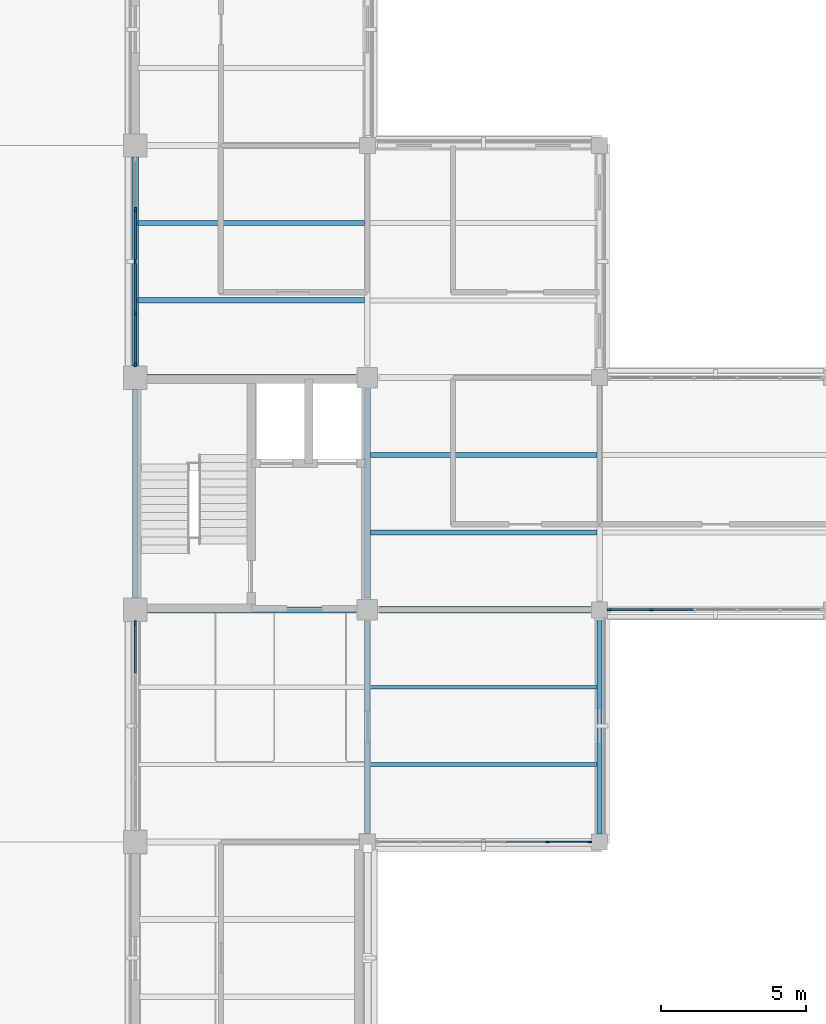
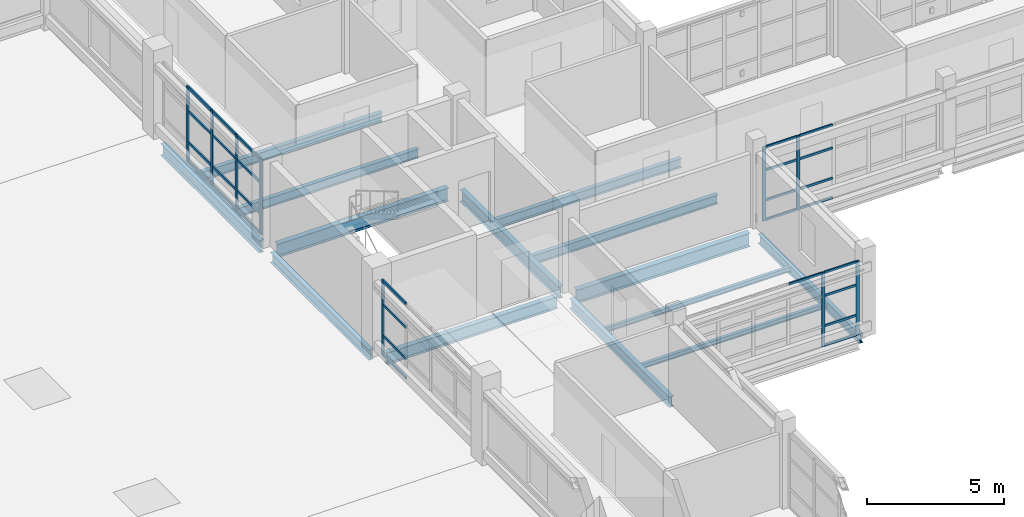
# One storey, part 25 of 107: 38 members, 14 beams, 4 elements without a shape of their own.
"""IFC4 building model written with IfcOpenShell, lengths in metres."""

from ifc_helpers import new_model, si_unit, derived_unit, direction, frame, origin, origin_2d, place, context, subcontext, project, spatial, rectangle, i_section, extrude, material, layer, layer_set, material_profile, profile_set, type_object, element, aggregate, save


model = new_model("IFC4")

# Units and contexts
model_context = context("Model", 3, precision=1e-05, world=origin(), true_north=direction((0.0, 1.0)))
body_context = subcontext(model_context, "Body", "Model", "MODEL_VIEW")
ifc_project = project(units=[si_unit("LENGTHUNIT", "METRE"), si_unit("AREAUNIT", "SQUARE_METRE"), si_unit("VOLUMEUNIT", "CUBIC_METRE"), si_unit("PLANEANGLEUNIT", "RADIAN"), si_unit("MASSUNIT", "GRAM", prefix="KILO"), derived_unit("THERMALTRANSMITTANCEUNIT", [(si_unit("MASSUNIT", "GRAM", prefix="KILO"), 1), (si_unit("TIMEUNIT", "SECOND"), -3), (si_unit("THERMODYNAMICTEMPERATUREUNIT", "KELVIN"), -1)])], contexts=[model_context])

# Site, building, storey
site_placement = place(None, origin())
site = spatial("IfcSite", under=ifc_project, at=site_placement, CompositionType="ELEMENT")
building_placement = place(site_placement, origin())
building = spatial("IfcBuilding", under=site, at=building_placement, Name="Veyamyaing Civic Hall", CompositionType="ELEMENT")
storey_placement = place(building_placement, frame((0.0, 0.0, 13.860107421875)))
storey = spatial("IfcBuildingStorey", under=building, at=storey_placement, Name="L03", CompositionType="ELEMENT", Elevation=13.860107421875)

# Beams
ifc_material_1 = material(Name="Steel ASTM A992", Category="steel")
ifc_material_profile_1 = material_profile(ifc_material_1, i_section(OverallWidth=0.22802734375, OverallDepth=0.60791015625, WebThickness=0.01123046875, FlangeThickness=0.017333984375, FilletRadius=0.012939453125, at=origin_2d()), Name="W610X113")
ifc_profile_set_1 = profile_set([ifc_material_profile_1], Name="Steel ASTM A992")
beam_type_1 = type_object("IfcBeamType", Name="B-06", PredefinedType="BEAM", material=ifc_profile_set_1)
beam_1_placement = place(storey_placement, frame((112.39990234375, 48.0, -0.55908203125), z_axis=(1.0, 0.0, 0.0), x_axis=(0.0, 1.0, 0.0)))
element("IfcBeam", 1, at=beam_1_placement, inside=storey, type_object=beam_type_1, Name="Girder B-06 L03 Grid G 15-16", PredefinedType="BEAM", context=body_context, shape_type="SweptSolid", body=[
    extrude(i_section(OverallWidth=0.22802734375, OverallDepth=0.60791015625, WebThickness=0.01123046875, FlangeThickness=0.017333984375, FilletRadius=0.012939453125, at=origin_2d()), origin(), (0.0, 0.0, 1.0), 7.300048828125),
])
beam_2_placement = place(storey_placement, frame((104.39990234375, 56.0, -0.55908203125), z_axis=(1.0, 0.0, 0.0), x_axis=(0.0, 1.0, 0.0)))
element("IfcBeam", 2, at=beam_2_placement, inside=storey, type_object=beam_type_1, Name="Girder B-06 L03 Grid H 14-15", PredefinedType="BEAM", context=body_context, shape_type="SweptSolid", body=[
    extrude(i_section(OverallWidth=0.22802734375, OverallDepth=0.60791015625, WebThickness=0.01123046875, FlangeThickness=0.017333984375, FilletRadius=0.012939453125, at=origin_2d()), origin(), (0.0, 0.0, 1.0), 7.2001953125),
])
ifc_material_profile_2 = material_profile(ifc_material_1, i_section(OverallWidth=0.208984375, OverallDepth=0.532958984375, WebThickness=0.01025390625, FlangeThickness=0.015625, FilletRadius=0.011962890625, at=origin_2d()), Name="W530X92")
ifc_profile_set_2 = profile_set([ifc_material_profile_2], Name="Steel ASTM A992")
beam_type_2 = type_object("IfcBeamType", Name="B-07", PredefinedType="BEAM", material=ifc_profile_set_2)
for number, where, z_axis, x_axis, name in (
    (3, (104.0, 56.39990234375, -0.521728515625), (0.0, 1.0, 0.0), (-1.0, 0.0, 0.0), "Girder B-07 L03 Grid 14 H-J"),
    (4, (112.0, 48.39990234375, -0.521728515625), (0.0, 1.0, 0.0), (-1.0, 0.0, 0.0), "Girder B-07 L03 Grid 15 G-H"),
):
    element("IfcBeam", number, at=place(storey_placement, frame(where, z_axis=z_axis, x_axis=x_axis)), inside=storey, type_object=beam_type_2, Name=name, PredefinedType="BEAM", context=body_context, shape_type="SweptSolid", body=[
        extrude(i_section(OverallWidth=0.208984375, OverallDepth=0.532958984375, WebThickness=0.01025390625, FlangeThickness=0.015625, FilletRadius=0.011962890625, at=origin_2d()), origin(), (0.0, 0.0, 1.0), 7.2001953125),
    ])
ifc_material_profile_3 = material_profile(ifc_material_1, i_section(OverallWidth=0.179931640625, OverallDepth=0.4130859375, WebThickness=0.009765625, FlangeThickness=0.01611328125, FilletRadius=0.010009765625, at=origin_2d()), Name="W410X74")
ifc_profile_set_3 = profile_set([ifc_material_profile_3], Name="Steel ASTM A992")
beam_type_3 = type_object("IfcBeamType", Name="B-10", PredefinedType="SPANDREL", material=ifc_profile_set_3)
beam_3_placement = place(storey_placement, frame((120.0, 40.300048828125, -0.461669921875), z_axis=(0.0, 1.0, 0.0), x_axis=(-1.0, 0.0, 0.0)))
element("IfcBeam", 5, at=beam_3_placement, inside=storey, type_object=beam_type_3, Name="Girder B-10 L03 Grid 16 F-G", PredefinedType="SPANDREL", context=body_context, shape_type="SweptSolid", body=[
    extrude(i_section(OverallWidth=0.179931640625, OverallDepth=0.4130859375, WebThickness=0.009765625, FlangeThickness=0.01611328125, FilletRadius=0.010009765625, at=origin_2d()), origin(), (0.0, 0.0, 1.0), 7.39990234375),
])
ifc_material_profile_4 = material_profile(ifc_material_1, i_section(OverallWidth=0.2109375, OverallDepth=0.5390625, WebThickness=0.01171875, FlangeThickness=0.018798828125, FilletRadius=0.011962890625, at=origin_2d()), Name="W530X109")
ifc_profile_set_4 = profile_set([ifc_material_profile_4], Name="Steel ASTM A992")
beam_type_4 = type_object("IfcBeamType", Name="B-17", PredefinedType="BEAM", material=ifc_profile_set_4)
beam_4_placement = place(storey_placement, frame((104.39990234375, 48.0, -0.524658203125), z_axis=(1.0, 0.0, 0.0), x_axis=(0.0, 1.0, 0.0)))
element("IfcBeam", 6, at=beam_4_placement, inside=storey, type_object=beam_type_4, Name="Girder B-17 L03 Grid G 14-15", PredefinedType="BEAM", context=body_context, shape_type="SweptSolid", body=[
    extrude(i_section(OverallWidth=0.2109375, OverallDepth=0.5390625, WebThickness=0.01171875, FlangeThickness=0.018798828125, FilletRadius=0.011962890625, at=origin_2d()), origin(), (0.0, 0.0, 1.0), 7.2001953125),
])
ifc_material_profile_5 = material_profile(ifc_material_1, i_section(OverallWidth=0.194091796875, OverallDepth=0.468994140625, WebThickness=0.0126953125, FlangeThickness=0.0205078125, FilletRadius=0.010009765625, at=origin_2d()), Name="W460X106")
ifc_profile_set_5 = profile_set([ifc_material_profile_5], Name="Steel ASTM A992")
beam_type_5 = type_object("IfcBeamType", Name="B-18", PredefinedType="BEAM", material=ifc_profile_set_5)
beam_5_placement = place(storey_placement, frame((104.0, 48.39990234375, -0.489501953125), z_axis=(0.0, 1.0, 0.0), x_axis=(-1.0, 0.0, 0.0)))
element("IfcBeam", 7, at=beam_5_placement, inside=storey, type_object=beam_type_5, Name="Girder B-18 L03 Grid 14 G-H", PredefinedType="BEAM", context=body_context, shape_type="SweptSolid", body=[
    extrude(i_section(OverallWidth=0.194091796875, OverallDepth=0.468994140625, WebThickness=0.0126953125, FlangeThickness=0.0205078125, FilletRadius=0.010009765625, at=origin_2d()), origin(), (0.0, 0.0, 1.0), 7.2001953125),
])
beam_6_placement = place(storey_placement, frame((112.0, 40.300048828125, -0.489501953125), z_axis=(0.0, 1.0, 0.0), x_axis=(-1.0, 0.0, 0.0)))
element("IfcBeam", 8, at=beam_6_placement, inside=storey, type_object=beam_type_5, Name="Girder B-18 L03 Grid 15 F-G", PredefinedType="BEAM", context=body_context, shape_type="SweptSolid", body=[
    extrude(i_section(OverallWidth=0.194091796875, OverallDepth=0.468994140625, WebThickness=0.0126953125, FlangeThickness=0.0205078125, FilletRadius=0.010009765625, at=origin_2d()), origin(), (0.0, 0.0, 1.0), 7.300048828125),
])

# Curtain wall, member
ifc_material_2 = material(Name="Anodised aluminium 6063-T6", Category="aluminium")
ifc_layer_1 = layer(ifc_material_2, 0.159912109375, Name="Anodised aluminium 6063-T6")
ifc_layer_set_1 = layer_set([ifc_layer_1], Name="Anodised aluminium 6063-T6")
curtain_wall_type_1 = type_object("IfcCurtainWallType", Name="CW-07", PredefinedType="NOTDEFINED", material=ifc_layer_set_1)
curtain_wall_1_placement = place(storey_placement, origin())
curtain_wall_1 = element("IfcCurtainWall", 9, at=curtain_wall_1_placement, inside=storey, type_object=curtain_wall_type_1, Name="Unitized curtain wall CW-07 L03 W 14.6", PredefinedType="NOTDEFINED")
ifc_material_profile_6 = material_profile(ifc_material_2, rectangle(XDim=0.06494140625, YDim=0.159912109375, at=origin_2d()), Name="ALU-MUL-65X160")
ifc_profile_set_6 = profile_set([ifc_material_profile_6], Name="Anodised aluminium 6063-T6")
member_type_1 = type_object("IfcMemberType", Name="CWM-01", PredefinedType="MULLION", material=ifc_profile_set_6)
member_1_placement = place(storey_placement, frame((104.0, 47.53759765625, 0.0), z_axis=(0.0, 0.0, 1.0), x_axis=(-1.0, 0.0, 0.0)))
member_1 = element("IfcMember", 10, at=member_1_placement, type_object=member_type_1, Name="CW-07 mullion 5", PredefinedType="MULLION", context=body_context, shape_type="SweptSolid", body=[
    extrude(rectangle(XDim=0.06494140625, YDim=0.159912109375, at=origin_2d()), origin(), (0.0, 0.0, 1.0), 3.364013671875),
])

# Curtain wall, members
curtain_wall_2_placement = place(storey_placement, origin())
curtain_wall_2 = element("IfcCurtainWall", 11, at=curtain_wall_2_placement, inside=storey, type_object=curtain_wall_type_1, Name="Unitized curtain wall CW-07 L03 W 14.8", PredefinedType="NOTDEFINED")
member_2_placement = place(storey_placement, frame((104.0, 56.46240234375, 0.0), z_axis=(0.0, 0.0, 1.0), x_axis=(-1.0, 0.0, 0.0)))
member_2 = element("IfcMember", 12, at=member_2_placement, type_object=member_type_1, Name="CW-07 mullion 1", PredefinedType="MULLION", context=body_context, shape_type="SweptSolid", body=[
    extrude(rectangle(XDim=0.06494140625, YDim=0.159912109375, at=origin_2d()), origin(), (0.0, 0.0, 1.0), 3.366943359375),
])
member_3_placement = place(storey_placement, frame((104.0, 58.215087890625, 0.0), z_axis=(0.0, 0.0, 1.0), x_axis=(-1.0, 0.0, 0.0)))
member_3 = element("IfcMember", 13, at=member_3_placement, type_object=member_type_1, Name="CW-07 mullion 2", PredefinedType="MULLION", context=body_context, shape_type="SweptSolid", body=[
    extrude(rectangle(XDim=0.06494140625, YDim=0.159912109375, at=origin_2d()), origin(), (0.0, 0.0, 1.0), 3.366943359375),
])
member_4_placement = place(storey_placement, frame((104.0, 60.0, 0.0), z_axis=(0.0, 0.0, 1.0), x_axis=(-1.0, 0.0, 0.0)))
member_4 = element("IfcMember", 14, at=member_4_placement, type_object=member_type_1, Name="CW-07 mullion 3", PredefinedType="MULLION", context=body_context, shape_type="SweptSolid", body=[
    extrude(rectangle(XDim=0.06494140625, YDim=0.159912109375, at=origin_2d()), origin(), (0.0, 0.0, 1.0), 3.366943359375),
])
member_5_placement = place(storey_placement, frame((104.0, 61.784912109375, 0.0), z_axis=(0.0, 0.0, 1.0), x_axis=(-1.0, 0.0, 0.0)))
member_5 = element("IfcMember", 15, at=member_5_placement, type_object=member_type_1, Name="CW-07 mullion 4", PredefinedType="MULLION", context=body_context, shape_type="SweptSolid", body=[
    extrude(rectangle(XDim=0.06494140625, YDim=0.159912109375, at=origin_2d()), origin(), (0.0, 0.0, 1.0), 3.366943359375),
])

ifc_layer_2 = layer(ifc_material_2, 0.139892578125, Name="Anodised aluminium 6063-T6")
ifc_layer_set_2 = layer_set([ifc_layer_2], Name="Anodised aluminium 6063-T6")
curtain_wall_type_2 = type_object("IfcCurtainWallType", Name="CW-04", PredefinedType="NOTDEFINED", material=ifc_layer_set_2)
curtain_wall_3_placement = place(storey_placement, origin())
curtain_wall_3 = element("IfcCurtainWall", 16, at=curtain_wall_3_placement, inside=storey, type_object=curtain_wall_type_2, Name="Unitized curtain wall CW-04 L03 S 15.6", PredefinedType="NOTDEFINED")
ifc_material_profile_7 = material_profile(ifc_material_2, rectangle(XDim=0.06005859375, YDim=0.139892578125, at=origin_2d()), Name="ALU-MUL-60X140")
ifc_profile_set_7 = profile_set([ifc_material_profile_7], Name="Anodised aluminium 6063-T6")
member_type_2 = type_object("IfcMemberType", Name="CWM-03", PredefinedType="MULLION", material=ifc_profile_set_7)
member_6_placement = place(storey_placement, frame((118.217041015625, 40.0, 0.0), z_axis=(0.0, 0.0, 1.0), x_axis=(0.0, 1.0, 0.0)))
member_6 = element("IfcMember", 17, at=member_6_placement, type_object=member_type_2, Name="CW-04 mullion 5", PredefinedType="MULLION", context=body_context, shape_type="SweptSolid", body=[
    extrude(rectangle(XDim=0.06005859375, YDim=0.139892578125, at=origin_2d()), origin(), (0.0, 0.0, 1.0), 3.303955078125),
])
member_7_placement = place(storey_placement, frame((119.6650390625, 40.0, 0.0), z_axis=(0.0, 0.0, 1.0), x_axis=(0.0, 1.0, 0.0)))
member_7 = element("IfcMember", 18, at=member_7_placement, type_object=member_type_2, Name="CW-04 mullion 6", PredefinedType="MULLION", context=body_context, shape_type="SweptSolid", body=[
    extrude(rectangle(XDim=0.06005859375, YDim=0.139892578125, at=origin_2d()), origin(), (0.0, 0.0, 1.0), 3.303955078125),
])

curtain_wall_4_placement = place(storey_placement, origin())
curtain_wall_4 = element("IfcCurtainWall", 19, at=curtain_wall_4_placement, inside=storey, type_object=curtain_wall_type_2, Name="Unitized curtain wall CW-04 L03 S 16.7", PredefinedType="NOTDEFINED")
member_8_placement = place(storey_placement, frame((120.3349609375, 48.0, 0.0), z_axis=(0.0, 0.0, 1.0), x_axis=(0.0, 1.0, 0.0)))
member_8 = element("IfcMember", 20, at=member_8_placement, type_object=member_type_2, Name="CW-04 mullion 1", PredefinedType="MULLION", context=body_context, shape_type="SweptSolid", body=[
    extrude(rectangle(XDim=0.06005859375, YDim=0.139892578125, at=origin_2d()), origin(), (0.0, 0.0, 1.0), 3.2998046875),
])
member_9_placement = place(storey_placement, frame((121.782958984375, 48.0, 0.0), z_axis=(0.0, 0.0, 1.0), x_axis=(0.0, 1.0, 0.0)))
member_9 = element("IfcMember", 21, at=member_9_placement, type_object=member_type_2, Name="CW-04 mullion 2", PredefinedType="MULLION", context=body_context, shape_type="SweptSolid", body=[
    extrude(rectangle(XDim=0.06005859375, YDim=0.139892578125, at=origin_2d()), origin(), (0.0, 0.0, 1.0), 3.2998046875),
])

# Member
ifc_material_profile_8 = material_profile(ifc_material_2, rectangle(XDim=0.06494140625, YDim=0.1201171875, at=origin_2d()), Name="ALU-TRN-65X120")
ifc_profile_set_8 = profile_set([ifc_material_profile_8], Name="Anodised aluminium 6063-T6")
member_type_3 = type_object("IfcMemberType", Name="CWT-01", PredefinedType="USERDEFINED", material=ifc_profile_set_8)
member_10_placement = place(storey_placement, frame((104.0, 45.8173828125, 0.032470703125), z_axis=(0.0, 1.0, 0.0), x_axis=(-1.0, 0.0, 0.0)))
member_10 = element("IfcMember", 22, at=member_10_placement, type_object=member_type_3, Name="CW-07 transom 4.1", ObjectType="TRANSOM", PredefinedType="USERDEFINED", context=body_context, shape_type="SweptSolid", body=[
    extrude(rectangle(XDim=0.06494140625, YDim=0.1201171875, at=origin_2d()), origin(), (0.0, 0.0, 1.0), 1.6875),
])

member_11_placement = place(storey_placement, frame((104.0, 45.8173828125, 0.89990234375), z_axis=(0.0, 1.0, 0.0), x_axis=(-1.0, 0.0, 0.0)))
member_11 = element("IfcMember", 23, at=member_11_placement, type_object=member_type_3, Name="CW-07 transom 4.2", ObjectType="TRANSOM", PredefinedType="USERDEFINED", context=body_context, shape_type="SweptSolid", body=[
    extrude(rectangle(XDim=0.06494140625, YDim=0.1201171875, at=origin_2d()), origin(), (0.0, 0.0, 1.0), 1.6875),
])

member_12_placement = place(storey_placement, frame((104.0, 45.8173828125, 2.287353515625), z_axis=(0.0, 1.0, 0.0), x_axis=(-1.0, 0.0, 0.0)))
member_12 = element("IfcMember", 24, at=member_12_placement, type_object=member_type_3, Name="CW-07 transom 4.3", ObjectType="TRANSOM", PredefinedType="USERDEFINED", context=body_context, shape_type="SweptSolid", body=[
    extrude(rectangle(XDim=0.06494140625, YDim=0.1201171875, at=origin_2d()), origin(), (0.0, 0.0, 1.0), 1.6875),
])

member_13_placement = place(storey_placement, frame((104.0, 45.8173828125, 3.331298828125), z_axis=(0.0, 1.0, 0.0), x_axis=(-1.0, 0.0, 0.0)))
member_13 = element("IfcMember", 25, at=member_13_placement, type_object=member_type_3, Name="CW-07 transom 4.4", ObjectType="TRANSOM", PredefinedType="USERDEFINED", context=body_context, shape_type="SweptSolid", body=[
    extrude(rectangle(XDim=0.06494140625, YDim=0.1201171875, at=origin_2d()), origin(), (0.0, 0.0, 1.0), 1.6875),
])

aggregate(curtain_wall_1, [member_1, member_10, member_11, member_12, member_13])

member_14_placement = place(storey_placement, frame((104.0, 56.4951171875, 0.032470703125), z_axis=(0.0, 1.0, 0.0), x_axis=(-1.0, 0.0, 0.0)))
member_14 = element("IfcMember", 26, at=member_14_placement, type_object=member_type_3, Name="CW-07 transom 1.1", ObjectType="TRANSOM", PredefinedType="USERDEFINED", context=body_context, shape_type="SweptSolid", body=[
    extrude(rectangle(XDim=0.06494140625, YDim=0.1201171875, at=origin_2d()), origin(), (0.0, 0.0, 1.0), 1.6875),
])

member_15_placement = place(storey_placement, frame((104.0, 56.4951171875, 0.89990234375), z_axis=(0.0, 1.0, 0.0), x_axis=(-1.0, 0.0, 0.0)))
member_15 = element("IfcMember", 27, at=member_15_placement, type_object=member_type_3, Name="CW-07 transom 1.2", ObjectType="TRANSOM", PredefinedType="USERDEFINED", context=body_context, shape_type="SweptSolid", body=[
    extrude(rectangle(XDim=0.06494140625, YDim=0.1201171875, at=origin_2d()), origin(), (0.0, 0.0, 1.0), 1.6875),
])

member_16_placement = place(storey_placement, frame((104.0, 56.4951171875, 2.28955078125), z_axis=(0.0, 1.0, 0.0), x_axis=(-1.0, 0.0, 0.0)))
member_16 = element("IfcMember", 28, at=member_16_placement, type_object=member_type_3, Name="CW-07 transom 1.3", ObjectType="TRANSOM", PredefinedType="USERDEFINED", context=body_context, shape_type="SweptSolid", body=[
    extrude(rectangle(XDim=0.06494140625, YDim=0.1201171875, at=origin_2d()), origin(), (0.0, 0.0, 1.0), 1.6875),
])

member_17_placement = place(storey_placement, frame((104.0, 56.4951171875, 3.33447265625), z_axis=(0.0, 1.0, 0.0), x_axis=(-1.0, 0.0, 0.0)))
member_17 = element("IfcMember", 29, at=member_17_placement, type_object=member_type_3, Name="CW-07 transom 1.4", ObjectType="TRANSOM", PredefinedType="USERDEFINED", context=body_context, shape_type="SweptSolid", body=[
    extrude(rectangle(XDim=0.06494140625, YDim=0.1201171875, at=origin_2d()), origin(), (0.0, 0.0, 1.0), 1.6875),
])

member_18_placement = place(storey_placement, frame((104.0, 58.24755859375, 0.032470703125), z_axis=(0.0, 1.0, 0.0), x_axis=(-1.0, 0.0, 0.0)))
member_18 = element("IfcMember", 30, at=member_18_placement, type_object=member_type_3, Name="CW-07 transom 2.1", ObjectType="TRANSOM", PredefinedType="USERDEFINED", context=body_context, shape_type="SweptSolid", body=[
    extrude(rectangle(XDim=0.06494140625, YDim=0.1201171875, at=origin_2d()), origin(), (0.0, 0.0, 1.0), 1.719970703125),
])

member_19_placement = place(storey_placement, frame((104.0, 58.24755859375, 0.89990234375), z_axis=(0.0, 1.0, 0.0), x_axis=(-1.0, 0.0, 0.0)))
member_19 = element("IfcMember", 31, at=member_19_placement, type_object=member_type_3, Name="CW-07 transom 2.2", ObjectType="TRANSOM", PredefinedType="USERDEFINED", context=body_context, shape_type="SweptSolid", body=[
    extrude(rectangle(XDim=0.06494140625, YDim=0.1201171875, at=origin_2d()), origin(), (0.0, 0.0, 1.0), 1.719970703125),
])

member_20_placement = place(storey_placement, frame((104.0, 58.24755859375, 2.28955078125), z_axis=(0.0, 1.0, 0.0), x_axis=(-1.0, 0.0, 0.0)))
member_20 = element("IfcMember", 32, at=member_20_placement, type_object=member_type_3, Name="CW-07 transom 2.3", ObjectType="TRANSOM", PredefinedType="USERDEFINED", context=body_context, shape_type="SweptSolid", body=[
    extrude(rectangle(XDim=0.06494140625, YDim=0.1201171875, at=origin_2d()), origin(), (0.0, 0.0, 1.0), 1.719970703125),
])

member_21_placement = place(storey_placement, frame((104.0, 58.24755859375, 3.33447265625), z_axis=(0.0, 1.0, 0.0), x_axis=(-1.0, 0.0, 0.0)))
member_21 = element("IfcMember", 33, at=member_21_placement, type_object=member_type_3, Name="CW-07 transom 2.4", ObjectType="TRANSOM", PredefinedType="USERDEFINED", context=body_context, shape_type="SweptSolid", body=[
    extrude(rectangle(XDim=0.06494140625, YDim=0.1201171875, at=origin_2d()), origin(), (0.0, 0.0, 1.0), 1.719970703125),
])

member_22_placement = place(storey_placement, frame((104.0, 60.032470703125, 0.032470703125), z_axis=(0.0, 1.0, 0.0), x_axis=(-1.0, 0.0, 0.0)))
member_22 = element("IfcMember", 34, at=member_22_placement, type_object=member_type_3, Name="CW-07 transom 3.1", ObjectType="TRANSOM", PredefinedType="USERDEFINED", context=body_context, shape_type="SweptSolid", body=[
    extrude(rectangle(XDim=0.06494140625, YDim=0.1201171875, at=origin_2d()), origin(), (0.0, 0.0, 1.0), 1.719970703125),
])

member_23_placement = place(storey_placement, frame((104.0, 60.032470703125, 0.89990234375), z_axis=(0.0, 1.0, 0.0), x_axis=(-1.0, 0.0, 0.0)))
member_23 = element("IfcMember", 35, at=member_23_placement, type_object=member_type_3, Name="CW-07 transom 3.2", ObjectType="TRANSOM", PredefinedType="USERDEFINED", context=body_context, shape_type="SweptSolid", body=[
    extrude(rectangle(XDim=0.06494140625, YDim=0.1201171875, at=origin_2d()), origin(), (0.0, 0.0, 1.0), 1.719970703125),
])

member_24_placement = place(storey_placement, frame((104.0, 60.032470703125, 2.28955078125), z_axis=(0.0, 1.0, 0.0), x_axis=(-1.0, 0.0, 0.0)))
member_24 = element("IfcMember", 36, at=member_24_placement, type_object=member_type_3, Name="CW-07 transom 3.3", ObjectType="TRANSOM", PredefinedType="USERDEFINED", context=body_context, shape_type="SweptSolid", body=[
    extrude(rectangle(XDim=0.06494140625, YDim=0.1201171875, at=origin_2d()), origin(), (0.0, 0.0, 1.0), 1.719970703125),
])

member_25_placement = place(storey_placement, frame((104.0, 60.032470703125, 3.33447265625), z_axis=(0.0, 1.0, 0.0), x_axis=(-1.0, 0.0, 0.0)))
member_25 = element("IfcMember", 37, at=member_25_placement, type_object=member_type_3, Name="CW-07 transom 3.4", ObjectType="TRANSOM", PredefinedType="USERDEFINED", context=body_context, shape_type="SweptSolid", body=[
    extrude(rectangle(XDim=0.06494140625, YDim=0.1201171875, at=origin_2d()), origin(), (0.0, 0.0, 1.0), 1.719970703125),
])

aggregate(curtain_wall_2, [member_2, member_3, member_4, member_5, member_14, member_15, member_16, member_17, member_18, member_19, member_20, member_21, member_22, member_23, member_24, member_25])

ifc_material_profile_9 = material_profile(ifc_material_2, rectangle(XDim=0.06005859375, YDim=0.10009765625, at=origin_2d()), Name="ALU-TRN-60X100")
ifc_profile_set_9 = profile_set([ifc_material_profile_9], Name="Anodised aluminium 6063-T6")
member_type_4 = type_object("IfcMemberType", Name="CWT-03", PredefinedType="USERDEFINED", material=ifc_profile_set_9)
member_26_placement = place(storey_placement, frame((116.76904296875, 40.0, 3.27392578125), z_axis=(1.0, 0.0, 0.0), x_axis=(0.0, 1.0, 0.0)))
member_26 = element("IfcMember", 38, at=member_26_placement, type_object=member_type_4, Name="CW-04 transom 4.4", ObjectType="TRANSOM", PredefinedType="USERDEFINED", context=body_context, shape_type="SweptSolid", body=[
    extrude(rectangle(XDim=0.06005859375, YDim=0.10009765625, at=origin_2d()), origin(), (0.0, 0.0, 1.0), 1.41796875),
])

member_27_placement = place(storey_placement, frame((118.2470703125, 40.0, 0.02978515625), z_axis=(1.0, 0.0, 0.0), x_axis=(0.0, 1.0, 0.0)))
member_27 = element("IfcMember", 39, at=member_27_placement, type_object=member_type_4, Name="CW-04 transom 5.1", ObjectType="TRANSOM", PredefinedType="USERDEFINED", context=body_context, shape_type="SweptSolid", body=[
    extrude(rectangle(XDim=0.06005859375, YDim=0.10009765625, at=origin_2d()), origin(), (0.0, 0.0, 1.0), 1.387939453125),
])

member_28_placement = place(storey_placement, frame((118.2470703125, 40.0, 0.89990234375), z_axis=(1.0, 0.0, 0.0), x_axis=(0.0, 1.0, 0.0)))
member_28 = element("IfcMember", 40, at=member_28_placement, type_object=member_type_4, Name="CW-04 transom 5.2", ObjectType="TRANSOM", PredefinedType="USERDEFINED", context=body_context, shape_type="SweptSolid", body=[
    extrude(rectangle(XDim=0.06005859375, YDim=0.10009765625, at=origin_2d()), origin(), (0.0, 0.0, 1.0), 1.387939453125),
])

member_29_placement = place(storey_placement, frame((118.2470703125, 40.0, 2.24658203125), z_axis=(1.0, 0.0, 0.0), x_axis=(0.0, 1.0, 0.0)))
member_29 = element("IfcMember", 41, at=member_29_placement, type_object=member_type_4, Name="CW-04 transom 5.3", ObjectType="TRANSOM", PredefinedType="USERDEFINED", context=body_context, shape_type="SweptSolid", body=[
    extrude(rectangle(XDim=0.06005859375, YDim=0.10009765625, at=origin_2d()), origin(), (0.0, 0.0, 1.0), 1.387939453125),
])

member_30_placement = place(storey_placement, frame((118.2470703125, 40.0, 3.27392578125), z_axis=(1.0, 0.0, 0.0), x_axis=(0.0, 1.0, 0.0)))
member_30 = element("IfcMember", 42, at=member_30_placement, type_object=member_type_4, Name="CW-04 transom 5.4", ObjectType="TRANSOM", PredefinedType="USERDEFINED", context=body_context, shape_type="SweptSolid", body=[
    extrude(rectangle(XDim=0.06005859375, YDim=0.10009765625, at=origin_2d()), origin(), (0.0, 0.0, 1.0), 1.387939453125),
])

aggregate(curtain_wall_3, [member_6, member_7, member_26, member_27, member_28, member_29, member_30])

member_31_placement = place(storey_placement, frame((120.364990234375, 48.0, 0.02978515625), z_axis=(1.0, 0.0, 0.0), x_axis=(0.0, 1.0, 0.0)))
member_31 = element("IfcMember", 43, at=member_31_placement, type_object=member_type_4, Name="CW-04 transom 1.1", ObjectType="TRANSOM", PredefinedType="USERDEFINED", context=body_context, shape_type="SweptSolid", body=[
    extrude(rectangle(XDim=0.06005859375, YDim=0.10009765625, at=origin_2d()), origin(), (0.0, 0.0, 1.0), 1.387939453125),
])

member_32_placement = place(storey_placement, frame((120.364990234375, 48.0, 0.89990234375), z_axis=(1.0, 0.0, 0.0), x_axis=(0.0, 1.0, 0.0)))
member_32 = element("IfcMember", 44, at=member_32_placement, type_object=member_type_4, Name="CW-04 transom 1.2", ObjectType="TRANSOM", PredefinedType="USERDEFINED", context=body_context, shape_type="SweptSolid", body=[
    extrude(rectangle(XDim=0.06005859375, YDim=0.10009765625, at=origin_2d()), origin(), (0.0, 0.0, 1.0), 1.387939453125),
])

member_33_placement = place(storey_placement, frame((120.364990234375, 48.0, 2.243896484375), z_axis=(1.0, 0.0, 0.0), x_axis=(0.0, 1.0, 0.0)))
member_33 = element("IfcMember", 45, at=member_33_placement, type_object=member_type_4, Name="CW-04 transom 1.3", ObjectType="TRANSOM", PredefinedType="USERDEFINED", context=body_context, shape_type="SweptSolid", body=[
    extrude(rectangle(XDim=0.06005859375, YDim=0.10009765625, at=origin_2d()), origin(), (0.0, 0.0, 1.0), 1.387939453125),
])

member_34_placement = place(storey_placement, frame((120.364990234375, 48.0, 3.269775390625), z_axis=(1.0, 0.0, 0.0), x_axis=(0.0, 1.0, 0.0)))
member_34 = element("IfcMember", 46, at=member_34_placement, type_object=member_type_4, Name="CW-04 transom 1.4", ObjectType="TRANSOM", PredefinedType="USERDEFINED", context=body_context, shape_type="SweptSolid", body=[
    extrude(rectangle(XDim=0.06005859375, YDim=0.10009765625, at=origin_2d()), origin(), (0.0, 0.0, 1.0), 1.387939453125),
])

member_35_placement = place(storey_placement, frame((121.81298828125, 48.0, 0.02978515625), z_axis=(1.0, 0.0, 0.0), x_axis=(0.0, 1.0, 0.0)))
member_35 = element("IfcMember", 47, at=member_35_placement, type_object=member_type_4, Name="CW-04 transom 2.1", ObjectType="TRANSOM", PredefinedType="USERDEFINED", context=body_context, shape_type="SweptSolid", body=[
    extrude(rectangle(XDim=0.06005859375, YDim=0.10009765625, at=origin_2d()), origin(), (0.0, 0.0, 1.0), 1.41796875),
])

member_36_placement = place(storey_placement, frame((121.81298828125, 48.0, 0.89990234375), z_axis=(1.0, 0.0, 0.0), x_axis=(0.0, 1.0, 0.0)))
member_36 = element("IfcMember", 48, at=member_36_placement, type_object=member_type_4, Name="CW-04 transom 2.2", ObjectType="TRANSOM", PredefinedType="USERDEFINED", context=body_context, shape_type="SweptSolid", body=[
    extrude(rectangle(XDim=0.06005859375, YDim=0.10009765625, at=origin_2d()), origin(), (0.0, 0.0, 1.0), 1.41796875),
])

member_37_placement = place(storey_placement, frame((121.81298828125, 48.0, 2.243896484375), z_axis=(1.0, 0.0, 0.0), x_axis=(0.0, 1.0, 0.0)))
member_37 = element("IfcMember", 49, at=member_37_placement, type_object=member_type_4, Name="CW-04 transom 2.3", ObjectType="TRANSOM", PredefinedType="USERDEFINED", context=body_context, shape_type="SweptSolid", body=[
    extrude(rectangle(XDim=0.06005859375, YDim=0.10009765625, at=origin_2d()), origin(), (0.0, 0.0, 1.0), 1.41796875),
])

member_38_placement = place(storey_placement, frame((121.81298828125, 48.0, 3.269775390625), z_axis=(1.0, 0.0, 0.0), x_axis=(0.0, 1.0, 0.0)))
member_38 = element("IfcMember", 50, at=member_38_placement, type_object=member_type_4, Name="CW-04 transom 2.4", ObjectType="TRANSOM", PredefinedType="USERDEFINED", context=body_context, shape_type="SweptSolid", body=[
    extrude(rectangle(XDim=0.06005859375, YDim=0.10009765625, at=origin_2d()), origin(), (0.0, 0.0, 1.0), 1.41796875),
])

aggregate(curtain_wall_4, [member_8, member_9, member_31, member_32, member_33, member_34, member_35, member_36, member_37, member_38])

# Beams
ifc_material_profile_10 = material_profile(ifc_material_1, i_section(OverallWidth=0.177978515625, OverallDepth=0.406982421875, WebThickness=0.0078125, FlangeThickness=0.0126953125, FilletRadius=0.010009765625, at=origin_2d()), Name="W410X60")
ifc_profile_set_10 = profile_set([ifc_material_profile_10], Name="Steel ASTM A992")
beam_type_6 = type_object("IfcBeamType", Name="J-01", PredefinedType="JOIST", material=ifc_profile_set_10)
for number, where, z_axis, x_axis, name in (
    (51, (104.1025390625, 58.666748046875, -0.45849609375), (1.0, 0.0, 0.0), (0.0, 1.0, 0.0), "Composite floor joist J-01 L03 14.8.1"),
    (52, (104.1025390625, 61.333251953125, -0.45849609375), (1.0, 0.0, 0.0), (0.0, 1.0, 0.0), "Composite floor joist J-01 L03 14.8.2"),
    (53, (112.1025390625, 50.666748046875, -0.45849609375), (1.0, 0.0, 0.0), (0.0, 1.0, 0.0), "Composite floor joist J-01 L03 15.7.1"),
    (54, (112.1025390625, 53.333251953125, -0.45849609375), (1.0, 0.0, 0.0), (0.0, 1.0, 0.0), "Composite floor joist J-01 L03 15.7.2"),
):
    element("IfcBeam", number, at=place(storey_placement, frame(where, z_axis=z_axis, x_axis=x_axis)), inside=storey, type_object=beam_type_6, Name=name, PredefinedType="JOIST", context=body_context, shape_type="SweptSolid", body=[
        extrude(i_section(OverallWidth=0.177978515625, OverallDepth=0.406982421875, WebThickness=0.0078125, FlangeThickness=0.0126953125, FilletRadius=0.010009765625, at=origin_2d()), origin(), (0.0, 0.0, 1.0), 7.803466796875),
    ])
ifc_material_profile_11 = material_profile(ifc_material_1, i_section(OverallWidth=0.133056640625, OverallDepth=0.20703125, WebThickness=0.005859375, FlangeThickness=0.00830078125, FilletRadius=0.010009765625, at=origin_2d()), Name="W200X27")
ifc_profile_set_11 = profile_set([ifc_material_profile_11], Name="Steel ASTM A992")
beam_type_7 = type_object("IfcBeamType", Name="J-08", PredefinedType="JOIST", material=ifc_profile_set_11)
for number, where, z_axis, x_axis, name in (
    (55, (112.094970703125, 42.666748046875, -0.358642578125), (1.0, 0.0, 0.0), (0.0, 1.0, 0.0), "Composite floor joist J-08 L03 15.6.1"),
    (56, (112.094970703125, 45.333251953125, -0.358642578125), (1.0, 0.0, 0.0), (0.0, 1.0, 0.0), "Composite floor joist J-08 L03 15.6.2"),
):
    element("IfcBeam", number, at=place(storey_placement, frame(where, z_axis=z_axis, x_axis=x_axis)), inside=storey, type_object=beam_type_7, Name=name, PredefinedType="JOIST", context=body_context, shape_type="SweptSolid", body=[
        extrude(i_section(OverallWidth=0.133056640625, OverallDepth=0.20703125, WebThickness=0.005859375, FlangeThickness=0.00830078125, FilletRadius=0.010009765625, at=origin_2d()), origin(), (0.0, 0.0, 1.0), 7.817138671875),
    ])

save(model, "model.ifc")
